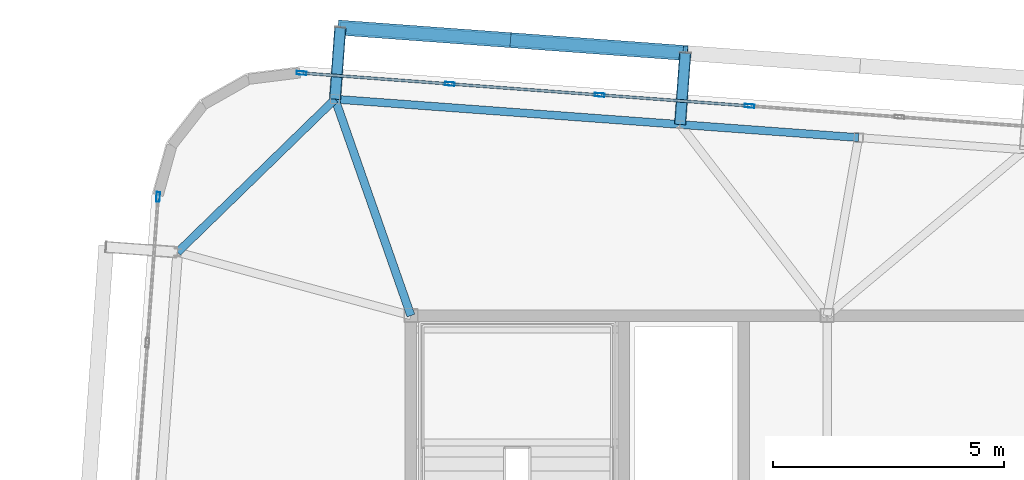
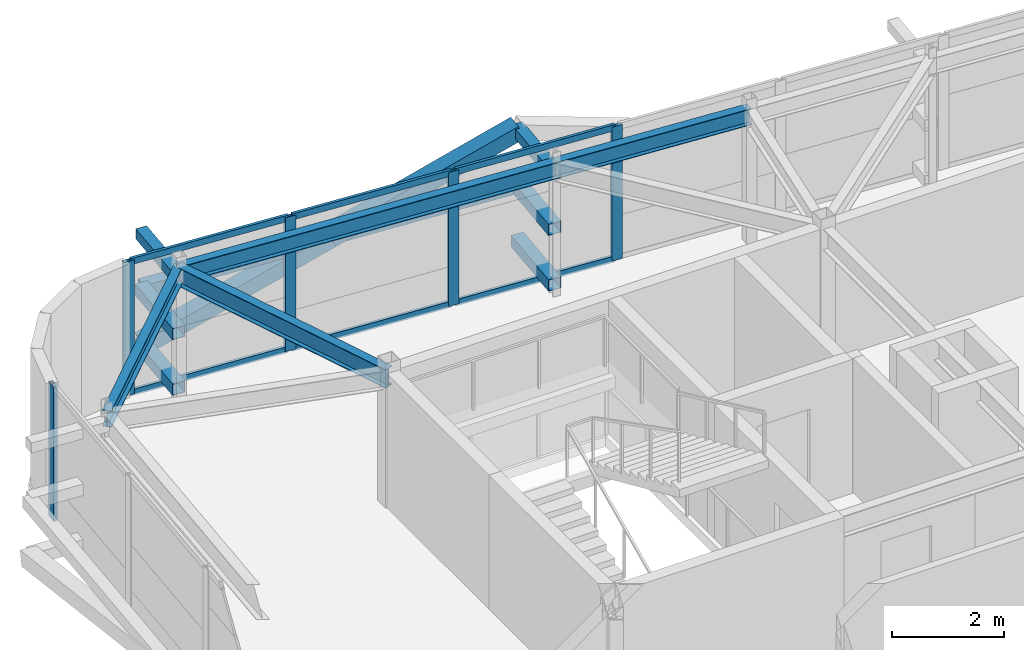
# One storey, part 26 of 42: 20 members, 4 beams, 2 elements without a shape of their own.
"""IFC4 building model written with IfcOpenShell, lengths in metres."""

from ifc_helpers import new_model, si_unit, direction, frame, origin, origin_2d, place, context, subcontext, project, spatial, hollow_rectangle, i_section, extrude, source, transform, mapped, material, layer, layer_set, material_profile, profile_set, type_object, element, aggregate, save


model = new_model("IFC4")

# Units and contexts
model_context = context("Model", 3, precision=1e-05, world=origin(), true_north=direction((0.0, 1.0)))
body_context = subcontext(model_context, "Body", "Model", "MODEL_VIEW")
ifc_project = project(units=[si_unit("LENGTHUNIT", "METRE"), si_unit("AREAUNIT", "SQUARE_METRE"), si_unit("VOLUMEUNIT", "CUBIC_METRE"), si_unit("PLANEANGLEUNIT", "RADIAN"), si_unit("MASSUNIT", "GRAM", prefix="KILO")], contexts=[model_context])

# Site, building, storey
site_placement = place(None, origin())
site = spatial("IfcSite", under=ifc_project, at=site_placement, CompositionType="ELEMENT")
building_placement = place(site_placement, origin())
building = spatial("IfcBuilding", under=site, at=building_placement, Name="Taldren Reach Tower", CompositionType="ELEMENT")
storey_placement = place(building_placement, frame((0.0, 0.0, 224.0)))
storey = spatial("IfcBuildingStorey", under=building, at=storey_placement, Name="L68", CompositionType="ELEMENT", Elevation=224.0)

# Members
ifc_material_1 = material(Name="Steel Gr 350 (C350L0)", Category="steel")
ifc_material_profile_1 = material_profile(ifc_material_1, hollow_rectangle(XDim=0.25, YDim=0.25, WallThickness=0.010009765625, at=origin_2d()), Name="250x250x10.0SHS")
ifc_profile_set_1 = profile_set([ifc_material_profile_1], Name="Steel Gr 350 (C350L0)")
member_type_1 = type_object("IfcMemberType", Name="MB-POST250", PredefinedType="POST", material=ifc_profile_set_1)
shared_shape_1 = source(origin(), body_context, "Body", "SweptSolid", [
    extrude(hollow_rectangle(XDim=0.25, YDim=0.25, WallThickness=0.010009765625, at=origin_2d()), origin(), (0.0, 0.0, 1.0), 1.5498046875),
])
for number, where, z_axis, x_axis, name in (
    (1, (17.35986328125, 36.678955078125, 0.219970703125), (0.073250797913, 0.997313551801, 0.0), (-0.997313551801, 0.073250797913, 0.0), "Exoskeleton base diaphragm tie strut B5-N1 L68"),
    (2, (17.35986328125, 36.678955078125, 1.43505859375), (0.073250797913, 0.997313551801, 0.0), (-0.997313551801, 0.073250797913, 0.0), "Exoskeleton mid-tier diaphragm tie B5-N1 L68"),
):
    element("IfcMember", number, at=place(storey_placement, frame(where, z_axis=z_axis, x_axis=x_axis)), inside=storey, type_object=member_type_1, Name=name, PredefinedType="POST", context=body_context, shape_type="MappedRepresentation", body=[
        mapped(shared_shape_1, transform((0.0, 0.0, 0.0), scale=1.0)),
    ])
shared_shape_2 = source(origin(), body_context, "Body", "SweptSolid", [
    extrude(hollow_rectangle(XDim=0.25, YDim=0.25, WallThickness=0.010009765625, at=origin_2d()), origin(), (0.0, 0.0, 1.0), 1.550048828125),
])
for number, where, z_axis, x_axis, name in (
    (3, (24.819580078125, 36.131103515625, 0.219970703125), (0.07323929162, 0.997314396849, 0.0), (-0.997314396849, 0.07323929162, 0.0), "Exoskeleton base diaphragm tie strut B5-N2 L68"),
    (4, (24.819580078125, 36.131103515625, 1.43505859375), (0.07323929162, 0.997314396849, 0.0), (-0.997314396849, 0.07323929162, 0.0), "Exoskeleton mid-tier diaphragm tie B5-N2 L68"),
):
    element("IfcMember", number, at=place(storey_placement, frame(where, z_axis=z_axis, x_axis=x_axis)), inside=storey, type_object=member_type_1, Name=name, PredefinedType="POST", context=body_context, shape_type="MappedRepresentation", body=[
        mapped(shared_shape_2, transform((0.0, 0.0, 0.0), scale=1.0)),
    ])
ifc_material_2 = material(Name="Steel Gr 450 (C450L0)", Category="steel")
ifc_material_profile_2 = material_profile(ifc_material_2, hollow_rectangle(XDim=0.219970703125, YDim=0.219970703125, WallThickness=0.00830078125, at=origin_2d()), Name="220x220x8.2SHS")
ifc_profile_set_2 = profile_set([ifc_material_profile_2], Name="Steel Gr 450 (C450L0)")
member_type_2 = type_object("IfcMemberType", Name="MB-TIE219", PredefinedType="STRUT", material=ifc_profile_set_2)
shared_shape_3 = source(origin(), body_context, "Body", "SweptSolid", [
    extrude(hollow_rectangle(XDim=0.219970703125, YDim=0.219970703125, WallThickness=0.00830078125, at=origin_2d()), origin(), (0.0, 0.0, 1.0), 1.5498046875),
])
member_1_placement = place(storey_placement, frame((17.35986328125, 36.678955078125, 2.64990234375), z_axis=(0.073250797913, 0.997313551801, 0.0), x_axis=(-0.997313551801, 0.073250797913, 0.0)))
element("IfcMember", 5, at=member_1_placement, inside=storey, type_object=member_type_2, Name="Exoskeleton diaphragm tie strut B5-N1 L68", PredefinedType="STRUT", context=body_context, shape_type="MappedRepresentation", body=[
    mapped(shared_shape_3, transform((0.0, 0.0, 0.0), scale=1.0)),
])
shared_shape_4 = source(origin(), body_context, "Body", "SweptSolid", [
    extrude(hollow_rectangle(XDim=0.219970703125, YDim=0.219970703125, WallThickness=0.00830078125, at=origin_2d()), origin(), (0.0, 0.0, 1.0), 1.550048828125),
])
member_2_placement = place(storey_placement, frame((24.819580078125, 36.131103515625, 2.64990234375), z_axis=(0.07323929162, 0.997314396849, 0.0), x_axis=(-0.997314396849, 0.07323929162, 0.0)))
element("IfcMember", 6, at=member_2_placement, inside=storey, type_object=member_type_2, Name="Exoskeleton diaphragm tie strut B5-N2 L68", PredefinedType="STRUT", context=body_context, shape_type="MappedRepresentation", body=[
    mapped(shared_shape_4, transform((0.0, 0.0, 0.0), scale=1.0)),
])

# Beams
ifc_material_3 = material(Name="Steel Gr 350 (350PLUS)", Category="steel")
ifc_material_profile_3 = material_profile(ifc_material_3, i_section(OverallWidth=0.172119140625, OverallDepth=0.35888671875, WebThickness=0.008056640625, FlangeThickness=0.012939453125, at=origin_2d()), Name="360UB56.7")
ifc_profile_set_3 = profile_set([ifc_material_profile_3], Name="Steel Gr 350 (350PLUS)")
beam_type_1 = type_object("IfcBeamType", Name="SP-UB360", PredefinedType="SPANDREL", material=ifc_profile_set_3)
shared_shape_5 = source(origin(), body_context, "Body", "SweptSolid", [
    extrude(i_section(OverallWidth=0.172119140625, OverallDepth=0.35888671875, WebThickness=0.008056640625, FlangeThickness=0.012939453125, at=origin_2d()), origin(), (0.0, 0.0, 1.0), 7.479736328125),
])
beam_1_placement = place(storey_placement, frame((24.819580078125, 36.131103515625, 2.75048828125), z_axis=(-0.997314045547, 0.073244075215, 0.0), x_axis=(-0.073244075215, -0.997314045547, 0.0)))
element("IfcBeam", 7, at=beam_1_placement, inside=storey, type_object=beam_type_1, Name="Perimeter spandrel B5 N2-N1 L68", PredefinedType="SPANDREL", context=body_context, shape_type="MappedRepresentation", body=[
    mapped(shared_shape_5, transform((0.0, 0.0, 0.0), scale=1.0)),
])
shared_shape_6 = source(origin(), body_context, "Body", "SweptSolid", [
    extrude(i_section(OverallWidth=0.172119140625, OverallDepth=0.35888671875, WebThickness=0.008056640625, FlangeThickness=0.012939453125, at=origin_2d()), origin(), (0.0, 0.0, 1.0), 4.74609375),
])
beam_2_placement = place(storey_placement, frame((17.35986328125, 36.678955078125, 2.75048828125), z_axis=(-0.716711338436, -0.697369957309, 0.0), x_axis=(0.697369957309, -0.716711338436, 0.0)))
element("IfcBeam", 8, at=beam_2_placement, inside=storey, type_object=beam_type_1, Name="Perimeter spandrel B5 N1-W3 L68", PredefinedType="SPANDREL", context=body_context, shape_type="MappedRepresentation", body=[
    mapped(shared_shape_6, transform((0.0, 0.0, 0.0), scale=1.0)),
])
shared_shape_7 = source(origin(), body_context, "Body", "SweptSolid", [
    extrude(i_section(OverallWidth=0.172119140625, OverallDepth=0.35888671875, WebThickness=0.008056640625, FlangeThickness=0.012939453125, at=origin_2d()), origin(), (0.0, 0.0, 1.0), 3.8701171875),
])
beam_3_placement = place(storey_placement, frame((28.67919921875, 35.84765625, 2.75048828125), z_axis=(-0.997314202545, 0.073241937451, 0.0), x_axis=(-0.073241937451, -0.997314202545, 0.0)))
element("IfcBeam", 9, at=beam_3_placement, inside=storey, type_object=beam_type_1, Name="Perimeter spandrel B5 PJN1-N2 L68", PredefinedType="SPANDREL", context=body_context, shape_type="MappedRepresentation", body=[
    mapped(shared_shape_7, transform((0.0, 0.0, 0.0), scale=1.0)),
])
ifc_material_profile_4 = material_profile(ifc_material_3, i_section(OverallWidth=0.177978515625, OverallDepth=0.406005859375, WebThickness=0.0078125, FlangeThickness=0.0126953125, at=origin_2d()), Name="410UB59.7")
ifc_profile_set_4 = profile_set([ifc_material_profile_4], Name="Steel Gr 350 (350PLUS)")
beam_type_2 = type_object("IfcBeamType", Name="BM-UB410", PredefinedType="BEAM", material=ifc_profile_set_4)
shared_shape_8 = source(origin(), body_context, "Body", "SweptSolid", [
    extrude(i_section(OverallWidth=0.177978515625, OverallDepth=0.406005859375, WebThickness=0.0078125, FlangeThickness=0.0126953125, at=origin_2d()), origin(), (0.0, 0.0, 1.0), 4.9580078125),
])
beam_4_placement = place(storey_placement, frame((19.0, 32.0, 2.72705078125), z_axis=(-0.330800025288, 0.943700875951, 0.0), x_axis=(-0.943700875951, -0.330800025288, 0.0)))
element("IfcBeam", 10, at=beam_4_placement, inside=storey, type_object=beam_type_2, Name="Primary floor girder B5-N1 L68", PredefinedType="BEAM", context=body_context, shape_type="MappedRepresentation", body=[
    mapped(shared_shape_8, transform((0.0, 0.0, 0.0), scale=1.0)),
])

# Members
ifc_material_profile_5 = material_profile(ifc_material_2, hollow_rectangle(XDim=0.324951171875, YDim=0.324951171875, WallThickness=0.0126953125, at=origin_2d()), Name="325x325x12.7SHS")
ifc_profile_set_5 = profile_set([ifc_material_profile_5], Name="Steel Gr 450 (C450L0)")
member_type_3 = type_object("IfcMemberType", Name="MB-BR324", PredefinedType="BRACE", material=ifc_profile_set_5)
shared_shape_9 = source(origin(), body_context, "Body", "SweptSolid", [
    extrude(hollow_rectangle(XDim=0.324951171875, YDim=0.324951171875, WallThickness=0.0126953125, at=origin_2d()), origin(), (0.0, 0.0, 1.0), 3.932373046875),
])
member_3_placement = place(storey_placement, frame((17.473388671875, 38.224609375, 0.219970703125), z_axis=(0.948511132845, -0.069657644394, 0.308989390507), x_axis=(0.07324169103, 0.997314220642, 0.0)))
element("IfcMember", 11, at=member_3_placement, inside=storey, type_object=member_type_3, Name="Exoskeleton Diagrid Brace B5-N1 L68", PredefinedType="BRACE", context=body_context, shape_type="MappedRepresentation", body=[
    mapped(shared_shape_9, transform((0.0, 0.0, 0.0), scale=1.0)),
])
shared_shape_10 = source(origin(), body_context, "Body", "SweptSolid", [
    extrude(hollow_rectangle(XDim=0.324951171875, YDim=0.324951171875, WallThickness=0.0126953125, at=origin_2d()), origin(), (0.0, 0.0, 1.0), 3.93212890625),
])
member_4_placement = place(storey_placement, frame((21.203369140625, 37.95068359375, 1.43505859375), z_axis=(0.948527200613, -0.069601295535, 0.308952762339), x_axis=(0.073181527281, 0.997318637179, 0.0)))
element("IfcMember", 12, at=member_4_placement, inside=storey, type_object=member_type_3, Name="Exoskeleton Diagrid Brace B5-N1 L68", PredefinedType="BRACE", context=body_context, shape_type="MappedRepresentation", body=[
    mapped(shared_shape_10, transform((0.0, 0.0, 0.0), scale=1.0)),
])
shared_shape_11 = source(origin(), body_context, "Body", "SweptSolid", [
    extrude(hollow_rectangle(XDim=0.25, YDim=0.25, WallThickness=0.010009765625, at=origin_2d()), origin(), (0.0, 0.0, 1.0), 7.479736328125),
])
member_5_placement = place(storey_placement, frame((17.473388671875, 38.224609375, 1.43505859375), z_axis=(0.997316429287, -0.07321161024, 0.0), x_axis=(0.07321161024, 0.997316429287, 0.0)))
element("IfcMember", 13, at=member_5_placement, inside=storey, type_object=member_type_1, Name="Exoskeleton mid-height ring chord B5-N1 L68", PredefinedType="POST", context=body_context, shape_type="MappedRepresentation", body=[
    mapped(shared_shape_11, transform((0.0, 0.0, 0.0), scale=1.0)),
])

# Curtain wall, members
ifc_material_4 = material(Name="Aluminium and Low-E Glass Unitised System", Category="aluminium")
ifc_layer = layer(ifc_material_4, 0.159912109375)
ifc_layer_set = layer_set([ifc_layer], Name="Aluminium and Low-E Glass Unitised System")
curtain_wall_type = type_object("IfcCurtainWallType", Name="CW-SYS-6", PredefinedType="NOTDEFINED", material=ifc_layer_set)
curtain_wall_1_placement = place(storey_placement, origin())
curtain_wall_1 = element("IfcCurtainWall", 14, at=curtain_wall_1_placement, inside=storey, type_object=curtain_wall_type, Name="Unitised curtain wall CW-L68-N", PredefinedType="NOTDEFINED")
ifc_material_5 = material(Name="Anodised Aluminium 6063-T6", Category="aluminium")
ifc_material_profile_6 = material_profile(ifc_material_5, hollow_rectangle(XDim=0.074951171875, YDim=0.2099609375, WallThickness=0.00439453125, at=origin_2d()), Name="ALU-210x75x4.5RHS")
ifc_profile_set_6 = profile_set([ifc_material_profile_6], Name="Anodised Aluminium 6063-T6")
member_type_4 = type_object("IfcMemberType", Name="CW-MUL-200", PredefinedType="MULLION", material=ifc_profile_set_6)
shared_shape_12 = source(origin(), body_context, "Body", "SweptSolid", [
    extrude(hollow_rectangle(XDim=0.074951171875, YDim=0.2099609375, WallThickness=0.00439453125, at=origin_2d()), origin(), (0.0, 0.0, 1.0), 2.929931640625),
])
member_6_placement = place(storey_placement, frame((26.322998046875, 36.531982421875, 0.0), z_axis=(0.0, 0.0, 1.0), x_axis=(-0.073238213716, -0.997314476006, 0.0)))
member_6 = element("IfcMember", 15, at=member_6_placement, type_object=member_type_4, Name="CW-6 mullion 10", PredefinedType="MULLION", context=body_context, shape_type="MappedRepresentation", body=[
    mapped(shared_shape_12, transform((0.0, 0.0, 0.0), scale=1.0)),
])
member_7_placement = place(storey_placement, frame((23.081787109375, 36.77001953125, 0.0), z_axis=(0.0, 0.0, 1.0), x_axis=(-0.073238213716, -0.997314476006, 0.0)))
member_7 = element("IfcMember", 16, at=member_7_placement, type_object=member_type_4, Name="CW-6 mullion 11", PredefinedType="MULLION", context=body_context, shape_type="MappedRepresentation", body=[
    mapped(shared_shape_12, transform((0.0, 0.0, 0.0), scale=1.0)),
])
member_8_placement = place(storey_placement, frame((19.840576171875, 37.008056640625, 0.0), z_axis=(0.0, 0.0, 1.0), x_axis=(-0.073238213716, -0.997314476006, 0.0)))
member_8 = element("IfcMember", 17, at=member_8_placement, type_object=member_type_4, Name="CW-6 mullion 12", PredefinedType="MULLION", context=body_context, shape_type="MappedRepresentation", body=[
    mapped(shared_shape_12, transform((0.0, 0.0, 0.0), scale=1.0)),
])
member_9_placement = place(storey_placement, frame((16.63671875, 37.243408203125, 0.0), z_axis=(0.0, 0.0, 1.0), x_axis=(-0.073238213716, -0.997314476006, 0.0)))
member_9 = element("IfcMember", 18, at=member_9_placement, type_object=member_type_4, Name="CW-6 mullion 13", PredefinedType="MULLION", context=body_context, shape_type="MappedRepresentation", body=[
    mapped(shared_shape_12, transform((0.0, 0.0, 0.0), scale=1.0)),
])

# Curtain wall, member
curtain_wall_2_placement = place(storey_placement, origin())
curtain_wall_2 = element("IfcCurtainWall", 19, at=curtain_wall_2_placement, inside=storey, type_object=curtain_wall_type, Name="Unitised curtain wall CW-L68-W", PredefinedType="NOTDEFINED")
member_10_placement = place(storey_placement, frame((13.53466796875, 34.56591796875, 0.0), z_axis=(0.0, 0.0, 1.0), x_axis=(0.997314470951, -0.073238282558, 0.0)))
member_10 = element("IfcMember", 20, at=member_10_placement, type_object=member_type_4, Name="CW-6 mullion 1", PredefinedType="MULLION", context=body_context, shape_type="MappedRepresentation", body=[
    mapped(shared_shape_12, transform((0.0, 0.0, 0.0), scale=1.0)),
])
aggregate(curtain_wall_2, [member_10])

# Member
ifc_material_profile_7 = material_profile(ifc_material_5, hollow_rectangle(XDim=0.06005859375, YDim=0.135009765625, WallThickness=0.00341796875, at=origin_2d()), Name="ALU-135x60x3.5RHS")
ifc_profile_set_7 = profile_set([ifc_material_profile_7], Name="Anodised Aluminium 6063-T6")
member_type_5 = type_object("IfcMemberType", Name="CW-TRN-150", PredefinedType="USERDEFINED", material=ifc_profile_set_7)
shared_shape_13 = source(origin(), body_context, "Body", "SweptSolid", [
    extrude(hollow_rectangle(XDim=0.06005859375, YDim=0.135009765625, WallThickness=0.00341796875, at=origin_2d()), origin(), (0.0, 0.0, 1.0), 3.175048828125),
])
member_11_placement = place(storey_placement, frame((26.28564453125, 36.53466796875, 0.030029296875), z_axis=(-0.997311428111, 0.073279706322, 0.0), x_axis=(-0.073279706322, -0.997311428111, 0.0)))
member_11 = element("IfcMember", 21, at=member_11_placement, type_object=member_type_5, Name="CW-6 transom 10.1", ObjectType="TRANSOM", PredefinedType="USERDEFINED", context=body_context, shape_type="MappedRepresentation", body=[
    mapped(shared_shape_13, transform((0.0, 0.0, 0.0), scale=1.0)),
])

member_12_placement = place(storey_placement, frame((26.28564453125, 36.53466796875, 2.89990234375), z_axis=(-0.997311428111, 0.073279706322, 0.0), x_axis=(-0.073279706322, -0.997311428111, 0.0)))
member_12 = element("IfcMember", 22, at=member_12_placement, type_object=member_type_5, Name="CW-6 transom 10.2", ObjectType="TRANSOM", PredefinedType="USERDEFINED", context=body_context, shape_type="MappedRepresentation", body=[
    mapped(shared_shape_13, transform((0.0, 0.0, 0.0), scale=1.0)),
])

member_13_placement = place(storey_placement, frame((23.04443359375, 36.772705078125, 0.030029296875), z_axis=(-0.997311428111, 0.073279706322, 0.0), x_axis=(-0.073279706322, -0.997311428111, 0.0)))
member_13 = element("IfcMember", 23, at=member_13_placement, type_object=member_type_5, Name="CW-6 transom 11.1", ObjectType="TRANSOM", PredefinedType="USERDEFINED", context=body_context, shape_type="MappedRepresentation", body=[
    mapped(shared_shape_13, transform((0.0, 0.0, 0.0), scale=1.0)),
])

member_14_placement = place(storey_placement, frame((23.04443359375, 36.772705078125, 2.89990234375), z_axis=(-0.997311428111, 0.073279706322, 0.0), x_axis=(-0.073279706322, -0.997311428111, 0.0)))
member_14 = element("IfcMember", 24, at=member_14_placement, type_object=member_type_5, Name="CW-6 transom 11.2", ObjectType="TRANSOM", PredefinedType="USERDEFINED", context=body_context, shape_type="MappedRepresentation", body=[
    mapped(shared_shape_13, transform((0.0, 0.0, 0.0), scale=1.0)),
])

shared_shape_14 = source(origin(), body_context, "Body", "SweptSolid", [
    extrude(hollow_rectangle(XDim=0.06005859375, YDim=0.135009765625, WallThickness=0.00341796875, at=origin_2d()), origin(), (0.0, 0.0, 1.0), 3.137451171875),
])
member_15_placement = place(storey_placement, frame((19.80322265625, 37.0107421875, 0.030029296875), z_axis=(-0.997315736795, 0.073221043015, 0.0), x_axis=(-0.073221043015, -0.997315736795, 0.0)))
member_15 = element("IfcMember", 25, at=member_15_placement, type_object=member_type_5, Name="CW-6 transom 12.1", ObjectType="TRANSOM", PredefinedType="USERDEFINED", context=body_context, shape_type="MappedRepresentation", body=[
    mapped(shared_shape_14, transform((0.0, 0.0, 0.0), scale=1.0)),
])

member_16_placement = place(storey_placement, frame((19.80322265625, 37.0107421875, 2.89990234375), z_axis=(-0.997315736795, 0.073221043015, 0.0), x_axis=(-0.073221043015, -0.997315736795, 0.0)))
member_16 = element("IfcMember", 26, at=member_16_placement, type_object=member_type_5, Name="CW-6 transom 12.2", ObjectType="TRANSOM", PredefinedType="USERDEFINED", context=body_context, shape_type="MappedRepresentation", body=[
    mapped(shared_shape_14, transform((0.0, 0.0, 0.0), scale=1.0)),
])

aggregate(curtain_wall_1, [member_6, member_7, member_8, member_9, member_11, member_12, member_13, member_14, member_15, member_16])

save(model, "model.ifc")
